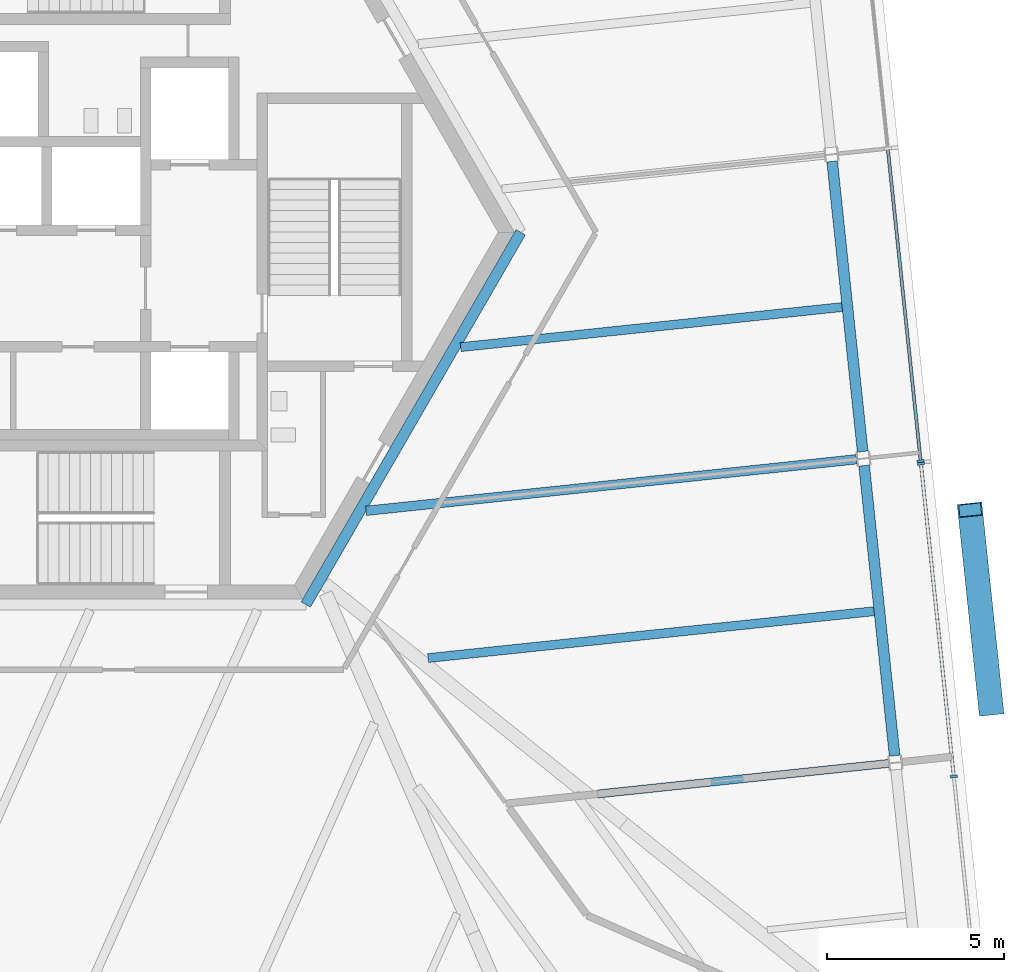
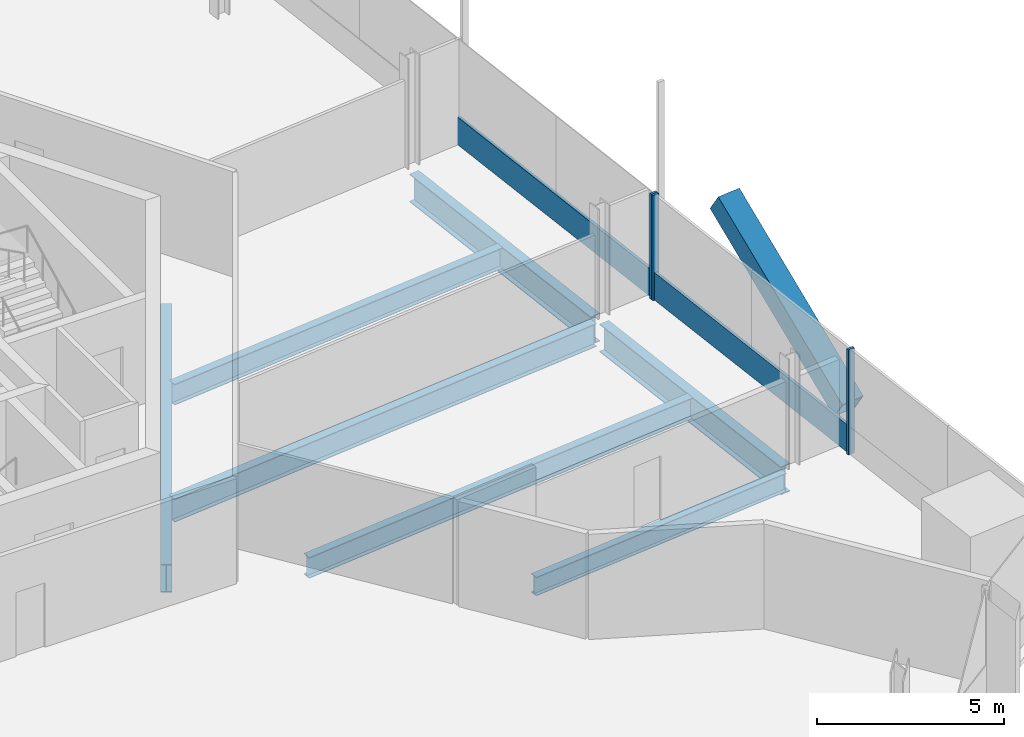
# One storey, part 6 of 21: 7 beams, 6 members, 2 elements without a shape of their own.
"""IFC4 building model written with IfcOpenShell, lengths in metres."""

from ifc_helpers import new_model, si_unit, direction, frame, origin, origin_2d, place, context, subcontext, project, spatial, rectangle, hollow_rectangle, i_section, extrude, source, transform, mapped, material, material_profile, profile_set, type_object, element, aggregate, save


model = new_model("IFC4")

# Units and contexts
model_context = context("Model", 3, precision=1e-05, world=origin(), true_north=direction((0.0, 1.0)))
body_context = subcontext(model_context, "Body", "Model", "MODEL_VIEW")
ifc_project = project(units=[si_unit("LENGTHUNIT", "METRE"), si_unit("AREAUNIT", "SQUARE_METRE"), si_unit("VOLUMEUNIT", "CUBIC_METRE"), si_unit("PLANEANGLEUNIT", "RADIAN"), si_unit("MASSUNIT", "GRAM", prefix="KILO")], contexts=[model_context])

# Site, building, storey
site_placement = place(None, origin())
site = spatial("IfcSite", under=ifc_project, at=site_placement, CompositionType="ELEMENT")
building_placement = place(site_placement, origin())
building = spatial("IfcBuilding", under=site, at=building_placement, Name="Triune Harvest Tower", CompositionType="ELEMENT")
storey_placement = place(building_placement, frame((0.0, 0.0, 65.699951171875)))
storey = spatial("IfcBuildingStorey", under=building, at=storey_placement, Name="L15", CompositionType="ELEMENT", Elevation=65.699951171875)

# Beams
ifc_material_1 = material(Name="Steel ASTM A992 Gr 50", Category="steel")
ifc_material_profile_1 = material_profile(ifc_material_1, i_section(OverallWidth=0.3046875, OverallDepth=0.914306640625, WebThickness=0.0166015625, FlangeThickness=0.02587890625, at=origin_2d()), Name="W36x160")
ifc_profile_set_1 = profile_set([ifc_material_profile_1], Name="Steel ASTM A992 Gr 50")
beam_type_1 = type_object("IfcBeamType", Name="CG-1 Core ring girder W36x160", PredefinedType="BEAM", material=ifc_profile_set_1)
shared_shape_1 = source(origin(), body_context, "Body", "SweptSolid", [
    extrude(i_section(OverallWidth=0.3046875, OverallDepth=0.914306640625, WebThickness=0.0166015625, FlangeThickness=0.02587890625, at=origin_2d()), origin(), (0.0, 0.0, 1.0), 12.176025390625),
])
beam_1_placement = place(storey_placement, frame((6.087890625, -10.544677734375, -0.6171875), z_axis=(0.5000099932, 0.866019634131, 0.0), x_axis=(-0.866019634131, 0.5000099932, 0.0)))
element("IfcBeam", 1, at=beam_1_placement, inside=storey, type_object=beam_type_1, Name="beam/L15/CG6", PredefinedType="BEAM", context=body_context, shape_type="MappedRepresentation", body=[
    mapped(shared_shape_1, transform((0.0, 0.0, 0.0), scale=1.0)),
])
ifc_material_2 = material(Name="Steel ASTM A992 Gr 50", Category="steel")
ifc_material_profile_2 = material_profile(ifc_material_2, i_section(OverallWidth=0.3046875, OverallDepth=0.914306640625, WebThickness=0.0166015625, FlangeThickness=0.02587890625, at=origin_2d()), Name="W36x160")
ifc_profile_set_2 = profile_set([ifc_material_profile_2], Name="Steel ASTM A992 Gr 50")
beam_type_2 = type_object("IfcBeamType", Name="SB-1 Spandrel beam W36x160", PredefinedType="SPANDREL", material=ifc_profile_set_2)
shared_shape_2 = source(origin(), body_context, "Body", "SweptSolid", [
    extrude(i_section(OverallWidth=0.3046875, OverallDepth=0.914306640625, WebThickness=0.0166015625, FlangeThickness=0.02587890625, at=origin_2d()), origin(), (0.0, 0.0, 1.0), 8.26318359375),
])
beam_2_placement = place(storey_placement, frame((22.76708984375, -14.826416015625, -0.6171875), z_axis=(-0.104530986234, 0.994521630191, 0.0), x_axis=(-0.994521630191, -0.104530986234, 0.0)))
element("IfcBeam", 2, at=beam_2_placement, inside=storey, type_object=beam_type_2, Name="beam/L15/SB2", PredefinedType="SPANDREL", context=body_context, shape_type="MappedRepresentation", body=[
    mapped(shared_shape_2, transform((0.0, 0.0, 0.0), scale=1.0)),
])
shared_shape_3 = source(origin(), body_context, "Body", "SweptSolid", [
    extrude(i_section(OverallWidth=0.3046875, OverallDepth=0.914306640625, WebThickness=0.0166015625, FlangeThickness=0.02587890625, at=origin_2d()), origin(), (0.0, 0.0, 1.0), 8.263427734375),
])
beam_3_placement = place(storey_placement, frame((21.861572265625, -6.211669921875, -0.6171875), z_axis=(-0.104527914852, 0.994521953009, 0.0), x_axis=(-0.994521953009, -0.104527914852, 0.0)))
element("IfcBeam", 3, at=beam_3_placement, inside=storey, type_object=beam_type_2, Name="beam/L15/SB3", PredefinedType="SPANDREL", context=body_context, shape_type="MappedRepresentation", body=[
    mapped(shared_shape_3, transform((0.0, 0.0, 0.0), scale=1.0)),
])
ifc_material_3 = material(Name="Steel ASTM A992 Gr 50", Category="steel")
ifc_material_profile_3 = material_profile(ifc_material_3, i_section(OverallWidth=0.22900390625, OverallDepth=0.612060546875, WebThickness=0.011962890625, FlangeThickness=0.01953125, at=origin_2d()), Name="W24x84")
ifc_profile_set_3 = profile_set([ifc_material_profile_3], Name="Steel ASTM A992 Gr 50")
beam_type_3 = type_object("IfcBeamType", Name="JT-3 Floor joist W24x84", PredefinedType="JOIST", material=ifc_profile_set_3)
shared_shape_4 = source(origin(), body_context, "Body", "SweptSolid", [
    extrude(i_section(OverallWidth=0.22900390625, OverallDepth=0.612060546875, WebThickness=0.011962890625, FlangeThickness=0.01953125, at=origin_2d()), origin(), (0.0, 0.0, 1.0), 8.28173828125),
])
beam_4_placement = place(storey_placement, frame((22.592041015625, -15.04541015625, -0.466064453125), z_axis=(-0.994521271652, -0.104534397358, 0.0), x_axis=(0.104534397358, -0.994521271652, 0.0)))
element("IfcBeam", 4, at=beam_4_placement, inside=storey, type_object=beam_type_3, Name="beam/L15/JT2", PredefinedType="JOIST", context=body_context, shape_type="MappedRepresentation", body=[
    mapped(shared_shape_4, transform((0.0, 0.0, 0.0), scale=1.0)),
])
ifc_material_4 = material(Name="Steel ASTM A992 Gr 50", Category="steel")
ifc_material_profile_4 = material_profile(ifc_material_4, i_section(OverallWidth=0.253662109375, OverallDepth=0.683349609375, WebThickness=0.012451171875, FlangeThickness=0.01904296875, at=origin_2d()), Name="W27x94")
ifc_profile_set_4 = profile_set([ifc_material_profile_4], Name="Steel ASTM A992 Gr 50")
beam_type_4 = type_object("IfcBeamType", Name="JT-4 Floor joist W27x94", PredefinedType="JOIST", material=ifc_profile_set_4)
shared_shape_5 = source(origin(), body_context, "Body", "SweptSolid", [
    extrude(i_section(OverallWidth=0.253662109375, OverallDepth=0.683349609375, WebThickness=0.012451171875, FlangeThickness=0.01904296875, at=origin_2d()), origin(), (0.0, 0.0, 1.0), 12.70166015625),
])
beam_5_placement = place(storey_placement, frame((22.18359375, -10.7333984375, -0.50146484375), z_axis=(-0.994522291469, -0.104524694556, 0.0), x_axis=(0.104524694556, -0.994522291469, 0.0)))
element("IfcBeam", 5, at=beam_5_placement, inside=storey, type_object=beam_type_4, Name="beam/L15/JT3", PredefinedType="JOIST", context=body_context, shape_type="MappedRepresentation", body=[
    mapped(shared_shape_5, transform((0.0, 0.0, 0.0), scale=1.0)),
])
ifc_material_5 = material(Name="Steel ASTM A992 Gr 50", Category="steel")
ifc_material_profile_5 = material_profile(ifc_material_5, i_section(OverallWidth=0.2666015625, OverallDepth=0.7568359375, WebThickness=0.013916015625, FlangeThickness=0.019287109375, at=origin_2d()), Name="W30x108")
ifc_profile_set_5 = profile_set([ifc_material_profile_5], Name="Steel ASTM A992 Gr 50")
beam_type_5 = type_object("IfcBeamType", Name="JT-5 Floor joist W30x108", PredefinedType="JOIST", material=ifc_profile_set_5)
shared_shape_6 = source(origin(), body_context, "Body", "SweptSolid", [
    extrude(i_section(OverallWidth=0.2666015625, OverallDepth=0.7568359375, WebThickness=0.013916015625, FlangeThickness=0.019287109375, at=origin_2d()), origin(), (0.0, 0.0, 1.0), 13.966552734375),
])
beam_6_placement = place(storey_placement, frame((21.6865234375, -6.4306640625, -0.538330078125), z_axis=(-0.994523349671, -0.104514625579, 0.0), x_axis=(0.104514625579, -0.994523349671, 0.0)))
element("IfcBeam", 6, at=beam_6_placement, inside=storey, type_object=beam_type_5, Name="beam/L15/JT4", PredefinedType="JOIST", context=body_context, shape_type="MappedRepresentation", body=[
    mapped(shared_shape_6, transform((0.0, 0.0, 0.0), scale=1.0)),
])
shared_shape_7 = source(origin(), body_context, "Body", "SweptSolid", [
    extrude(i_section(OverallWidth=0.253662109375, OverallDepth=0.683349609375, WebThickness=0.012451171875, FlangeThickness=0.01904296875, at=origin_2d()), origin(), (0.0, 0.0, 1.0), 10.864501953125),
])
beam_7_placement = place(storey_placement, frame((21.278076171875, -2.11865234375, -0.50146484375), z_axis=(-0.994523292564, -0.104515168984, 0.0), x_axis=(0.104515168984, -0.994523292564, 0.0)))
element("IfcBeam", 7, at=beam_7_placement, inside=storey, type_object=beam_type_4, Name="beam/L15/JT5", PredefinedType="JOIST", context=body_context, shape_type="MappedRepresentation", body=[
    mapped(shared_shape_7, transform((0.0, 0.0, 0.0), scale=1.0)),
])

# Member
ifc_material_6 = material(Name="Steel ASTM A572 Gr 50", Category="steel")
ifc_material_profile_6 = material_profile(ifc_material_6, hollow_rectangle(XDim=0.699951171875, YDim=0.699951171875, WallThickness=0.0400390625, at=origin_2d()), Name="Box 700x700x40")
ifc_profile_set_6 = profile_set([ifc_material_profile_6], Name="Steel ASTM A572 Gr 50")
member_type_1 = type_object("IfcMemberType", Name="BR-1 Brace Box 700x700x40", PredefinedType="BRACE", material=ifc_profile_set_6)
shared_shape_8 = source(origin(), body_context, "Body", "SweptSolid", [
    extrude(hollow_rectangle(XDim=0.699951171875, YDim=0.699951171875, WallThickness=0.0400390625, at=origin_2d()), origin(), (0.0, 0.0, 1.0), 6.702392578125),
])
member_1_placement = place(storey_placement, frame((25.497314453125, -13.486328125, 0.0), z_axis=(-0.088188640305, 0.83886666567, 0.537145679447), x_axis=(-0.994519405424, -0.10455215079, 0.0)))
element("IfcMember", 8, at=member_1_placement, inside=storey, type_object=member_type_1, Name="brace/B2-F1/d1/3", PredefinedType="BRACE", context=body_context, shape_type="MappedRepresentation", body=[
    mapped(shared_shape_8, transform((0.0, 0.0, 0.0), scale=1.0)),
])

# Curtain wall, members
ifc_material_7 = material(Name="Aluminium bronze anodised", Category="aluminium")
curtain_wall_type_1 = type_object("IfcCurtainWallType", Name="CW-7 Tower stick curtain wall with insulated spandrel infill", PredefinedType="NOTDEFINED", material=ifc_material_7)
curtain_wall_1_placement = place(storey_placement, origin())
curtain_wall_1 = element("IfcCurtainWall", 9, at=curtain_wall_1_placement, inside=storey, type_object=curtain_wall_type_1, Name="CW-7 B2-F1 L15 run 1")
ifc_material_8 = material(Name="Aluminium bronze anodised", Category="aluminium")
ifc_material_profile_7 = material_profile(ifc_material_8, rectangle(XDim=0.199951171875, YDim=0.074951171875, at=origin_2d()), Name="MU-1 mullion 75 x 200")
ifc_profile_set_7 = profile_set([ifc_material_profile_7], Name="Aluminium bronze anodised")
member_type_2 = type_object("IfcMemberType", Name="MU-1 mullion 75 x 200", PredefinedType="MULLION", material=ifc_profile_set_7)
shared_shape_9 = source(origin(), body_context, "Body", "SweptSolid", [
    extrude(rectangle(XDim=0.199951171875, YDim=0.074951171875, at=origin_2d()), origin(), (0.0, 0.0, 1.0), 3.43994140625),
])
member_2_placement = place(storey_placement, frame((24.442626953125, -15.411865234375, 0.0), z_axis=(0.0, 0.0, 1.0), x_axis=(-0.994522026204, -0.104527218444, 0.0)))
member_2 = element("IfcMember", 10, at=member_2_placement, type_object=member_type_2, Name="CW-7 mullion B2-F1 1.3", PredefinedType="MULLION", context=body_context, shape_type="MappedRepresentation", body=[
    mapped(shared_shape_9, transform((0.0, 0.0, 0.0), scale=1.0)),
])
member_3_placement = place(storey_placement, frame((23.511962890625, -6.556884765625, 0.0), z_axis=(0.0, 0.0, 1.0), x_axis=(-0.994522026204, -0.104527218444, 0.0)))
member_3 = element("IfcMember", 11, at=member_3_placement, type_object=member_type_2, Name="CW-7 mullion B2-F1 1.5", PredefinedType="MULLION", context=body_context, shape_type="MappedRepresentation", body=[
    mapped(shared_shape_9, transform((0.0, 0.0, 0.0), scale=1.0)),
])

# Curtain wall, member
ifc_material_9 = material(Name="Aluminium bronze anodised", Category="aluminium")
curtain_wall_type_2 = type_object("IfcCurtainWallType", Name="CW-1 Tower stick curtain wall", PredefinedType="NOTDEFINED", material=ifc_material_9)
curtain_wall_2_placement = place(storey_placement, origin())
curtain_wall_2 = element("IfcCurtainWall", 12, at=curtain_wall_2_placement, inside=storey, type_object=curtain_wall_type_2, Name="CW-1 B2-F1 L15 run 1001")
member_4_placement = place(storey_placement, frame((23.504150390625, -6.482421875, 0.0), z_axis=(0.0, 0.0, 1.0), x_axis=(-0.994521976051, -0.104527695624, 0.0)))
member_4 = element("IfcMember", 13, at=member_4_placement, type_object=member_type_2, Name="CW-1 mullion B2-F1 1001.1", PredefinedType="MULLION", context=body_context, shape_type="MappedRepresentation", body=[
    mapped(shared_shape_9, transform((0.0, 0.0, 0.0), scale=1.0)),
])

# Member
ifc_material_10 = material(Name="Aluminium bronze anodised", Category="aluminium")
ifc_material_profile_8 = material_profile(ifc_material_10, rectangle(XDim=0.090087890625, YDim=0.89990234375, at=origin_2d()), Name="TR-1 transom 90 x 900")
ifc_profile_set_8 = profile_set([ifc_material_profile_8], Name="Aluminium bronze anodised")
member_type_3 = type_object("IfcMemberType", Name="TR-1 transom 90 x 900", PredefinedType="USERDEFINED", material=ifc_profile_set_8)
shared_shape_10 = source(origin(), body_context, "Body", "SweptSolid", [
    extrude(rectangle(XDim=0.090087890625, YDim=0.89990234375, at=origin_2d()), origin(), (0.0, 0.0, 1.0), 8.82861328125),
])
member_5_placement = place(storey_placement, frame((24.438720703125, -15.37451171875, 0.449951171875), z_axis=(-0.10452931889, 0.994521805438, 0.0), x_axis=(-0.994521805438, -0.10452931889, 0.0)))
member_5 = element("IfcMember", 14, at=member_5_placement, type_object=member_type_3, Name="CW-7 transom B2-F1 1.2", ObjectType="TRANSOM", PredefinedType="USERDEFINED", context=body_context, shape_type="MappedRepresentation", body=[
    mapped(shared_shape_10, transform((0.0, 0.0, 0.0), scale=1.0)),
])

aggregate(curtain_wall_1, [member_2, member_3, member_5])

member_6_placement = place(storey_placement, frame((23.500244140625, -6.445068359375, 0.449951171875), z_axis=(-0.10452931889, 0.994521805438, 0.0), x_axis=(-0.994521805438, -0.10452931889, 0.0)))
member_6 = element("IfcMember", 15, at=member_6_placement, type_object=member_type_3, Name="CW-1 transom B2-F1 1001.1", ObjectType="TRANSOM", PredefinedType="USERDEFINED", context=body_context, shape_type="MappedRepresentation", body=[
    mapped(shared_shape_10, transform((0.0, 0.0, 0.0), scale=1.0)),
])

aggregate(curtain_wall_2, [member_4, member_6])

save(model, "model.ifc")
